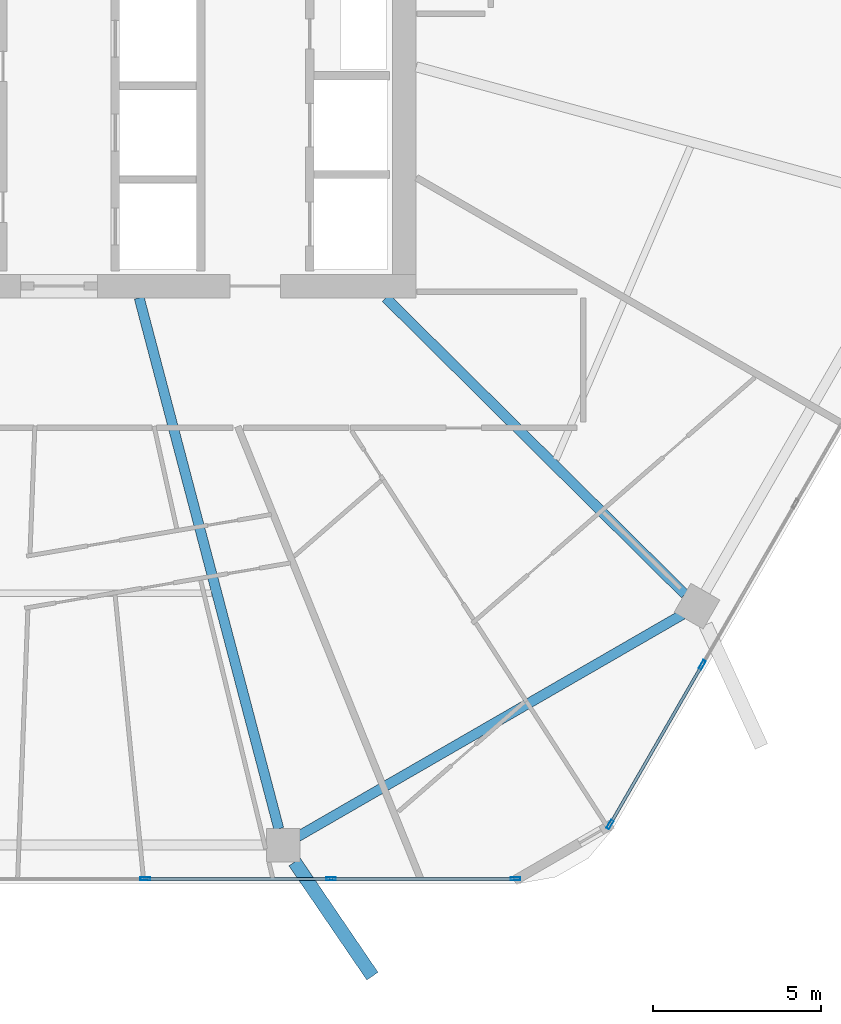
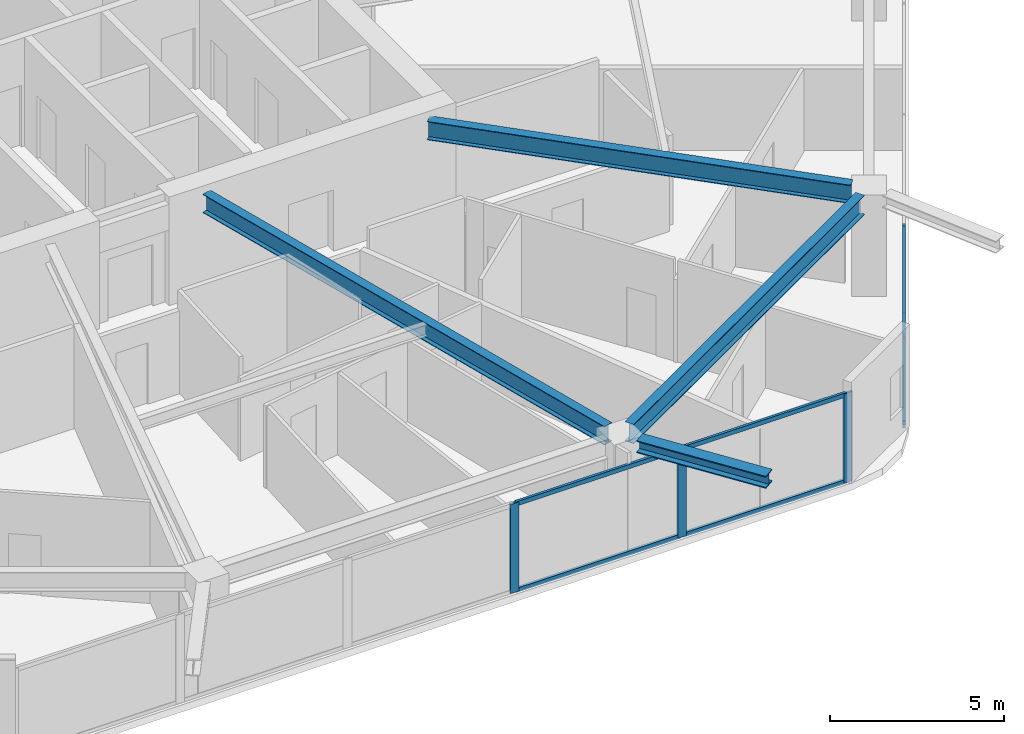
# One storey, part 7 of 26: 11 members, 4 beams, 2 elements without a shape of their own.
"""IFC4 building model written with IfcOpenShell, lengths in metres."""

from ifc_helpers import new_model, si_unit, direction, frame, origin, origin_2d, place, context, subcontext, project, spatial, hollow_rectangle, i_section, extrude, material, material_profile, profile_set, type_object, element, aggregate, save


model = new_model("IFC4")

# Units and contexts
model_context = context("Model", 3, precision=1e-05, world=origin(), true_north=direction((0.0, 1.0)))
body_context = subcontext(model_context, "Body", "Model", "MODEL_VIEW")
ifc_project = project(units=[si_unit("LENGTHUNIT", "METRE"), si_unit("AREAUNIT", "SQUARE_METRE"), si_unit("VOLUMEUNIT", "CUBIC_METRE"), si_unit("PLANEANGLEUNIT", "RADIAN"), si_unit("MASSUNIT", "GRAM", prefix="KILO")], contexts=[model_context])

# Site, building, storey
site_placement = place(None, origin())
site = spatial("IfcSite", under=ifc_project, at=site_placement, CompositionType="ELEMENT")
building_placement = place(site_placement, origin())
building = spatial("IfcBuilding", under=site, at=building_placement, Name="Zuhravey Tower", CompositionType="ELEMENT")
storey_placement = place(building_placement, frame((0.0, 0.0, 158.0)))
storey = spatial("IfcBuildingStorey", under=building, at=storey_placement, Name="L39", CompositionType="ELEMENT", Elevation=158.0)

# Curtain wall, members
ifc_material_1 = material(Name="Thermally broken anodised aluminium", Category="aluminium")
curtain_wall_type = type_object("IfcCurtainWallType", Name="Zone 1-2 Residential Curtain Wall CW3", PredefinedType="NOTDEFINED", material=ifc_material_1)
curtain_wall_1_placement = place(storey_placement, origin())
curtain_wall_1 = element("IfcCurtainWall", 1, at=curtain_wall_1_placement, inside=storey, type_object=curtain_wall_type, Name="L39 CW3 CW-L39-F6-1", PredefinedType="NOTDEFINED")
ifc_material_2 = material(Name="Anodised aluminium", Category="aluminium")
ifc_material_profile_1 = material_profile(ifc_material_2, hollow_rectangle(XDim=0.090087890625, YDim=0.284912109375, WallThickness=0.0048828125, at=origin_2d()), Name="ALU-RHS-90x285x5")
ifc_profile_set_1 = profile_set([ifc_material_profile_1], Name="Anodised aluminium")
member_type_1 = type_object("IfcMemberType", Name="Curtain-Wall Mullion 90x180", PredefinedType="MULLION", material=ifc_profile_set_1)
member_1_placement = place(storey_placement, frame((55.3828125, 11.2060546875, 0.0), z_axis=(0.0, 0.0, 1.0), x_axis=(0.866025138215, -0.500000459979, 0.0)))
member_1 = element("IfcMember", 2, at=member_1_placement, type_object=member_type_1, Name="CW3 mullion 5", PredefinedType="MULLION", context=body_context, shape_type="SweptSolid", body=[
    extrude(hollow_rectangle(XDim=0.090087890625, YDim=0.284912109375, WallThickness=0.0048828125, at=origin_2d()), origin(), (0.0, 0.0, 1.0), 3.1220703125),
])
member_2_placement = place(storey_placement, frame((52.63330078125, 6.443359375, 0.0), z_axis=(0.0, 0.0, 1.0), x_axis=(0.866025138215, -0.500000459979, 0.0)))
member_2 = element("IfcMember", 3, at=member_2_placement, type_object=member_type_1, Name="CW3 mullion 6", PredefinedType="MULLION", context=body_context, shape_type="SweptSolid", body=[
    extrude(hollow_rectangle(XDim=0.090087890625, YDim=0.284912109375, WallThickness=0.0048828125, at=origin_2d()), origin(), (0.0, 0.0, 1.0), 3.1220703125),
])

curtain_wall_2_placement = place(storey_placement, origin())
curtain_wall_2 = element("IfcCurtainWall", 4, at=curtain_wall_2_placement, inside=storey, type_object=curtain_wall_type, Name="L39 CW3 CW-L39-F5-1", PredefinedType="NOTDEFINED")
member_3_placement = place(storey_placement, frame((49.816162109375, 4.81689453125, 0.0), z_axis=(0.0, 0.0, 1.0), x_axis=(0.0, -1.0, 0.0)))
member_3 = element("IfcMember", 5, at=member_3_placement, type_object=member_type_1, Name="CW3 mullion 1", PredefinedType="MULLION", context=body_context, shape_type="SweptSolid", body=[
    extrude(hollow_rectangle(XDim=0.090087890625, YDim=0.284912109375, WallThickness=0.0048828125, at=origin_2d()), origin(), (0.0, 0.0, 1.0), 3.1220703125),
])
member_4_placement = place(storey_placement, frame((44.316650390625, 4.81689453125, 0.0), z_axis=(0.0, 0.0, 1.0), x_axis=(0.0, -1.0, 0.0)))
member_4 = element("IfcMember", 6, at=member_4_placement, type_object=member_type_1, Name="CW3 mullion 2", PredefinedType="MULLION", context=body_context, shape_type="SweptSolid", body=[
    extrude(hollow_rectangle(XDim=0.090087890625, YDim=0.284912109375, WallThickness=0.0048828125, at=origin_2d()), origin(), (0.0, 0.0, 1.0), 3.1220703125),
])
member_5_placement = place(storey_placement, frame((38.772216796875, 4.81689453125, 0.0), z_axis=(0.0, 0.0, 1.0), x_axis=(0.0, -1.0, 0.0)))
member_5 = element("IfcMember", 7, at=member_5_placement, type_object=member_type_1, Name="CW3 mullion 3", PredefinedType="MULLION", context=body_context, shape_type="SweptSolid", body=[
    extrude(hollow_rectangle(XDim=0.090087890625, YDim=0.284912109375, WallThickness=0.0048828125, at=origin_2d()), origin(), (0.0, 0.0, 1.0), 3.1220703125),
])

# Member
ifc_material_profile_2 = material_profile(ifc_material_2, hollow_rectangle(XDim=0.090087890625, YDim=0.14990234375, WallThickness=0.0048828125, at=origin_2d()), Name="ALU-RHS-90x150x5")
ifc_profile_set_2 = profile_set([ifc_material_profile_2], Name="Anodised aluminium")
member_type_2 = type_object("IfcMemberType", Name="Curtain-Wall Transom 90x150", PredefinedType="USERDEFINED", material=ifc_profile_set_2)
member_6_placement = place(storey_placement, frame((55.3603515625, 11.1669921875, 0.044921875), z_axis=(-0.499993332629, -0.866029253159, 0.0), x_axis=(0.866029253159, -0.499993332629, 0.0)))
member_6 = element("IfcMember", 8, at=member_6_placement, type_object=member_type_2, Name="CW3 transom 5.1", ObjectType="TRANSOM", PredefinedType="USERDEFINED", context=body_context, shape_type="SweptSolid", body=[
    extrude(hollow_rectangle(XDim=0.090087890625, YDim=0.14990234375, WallThickness=0.0048828125, at=origin_2d()), origin(), (0.0, 0.0, 1.0), 5.4091796875),
])

member_7_placement = place(storey_placement, frame((55.3603515625, 11.1669921875, 3.076904296875), z_axis=(-0.499993332629, -0.866029253159, 0.0), x_axis=(0.866029253159, -0.499993332629, 0.0)))
member_7 = element("IfcMember", 9, at=member_7_placement, type_object=member_type_2, Name="CW3 transom 5.2", ObjectType="TRANSOM", PredefinedType="USERDEFINED", context=body_context, shape_type="SweptSolid", body=[
    extrude(hollow_rectangle(XDim=0.090087890625, YDim=0.14990234375, WallThickness=0.0048828125, at=origin_2d()), origin(), (0.0, 0.0, 1.0), 5.4091796875),
])

aggregate(curtain_wall_1, [member_1, member_2, member_6, member_7])

member_8_placement = place(storey_placement, frame((49.77099609375, 4.81689453125, 0.044921875), z_axis=(-1.0, 0.0, 0.0), x_axis=(0.0, -1.0, 0.0)))
member_8 = element("IfcMember", 10, at=member_8_placement, type_object=member_type_2, Name="CW3 transom 1.1", ObjectType="TRANSOM", PredefinedType="USERDEFINED", context=body_context, shape_type="SweptSolid", body=[
    extrude(hollow_rectangle(XDim=0.090087890625, YDim=0.14990234375, WallThickness=0.0048828125, at=origin_2d()), origin(), (0.0, 0.0, 1.0), 5.409423828125),
])

member_9_placement = place(storey_placement, frame((49.77099609375, 4.81689453125, 3.076904296875), z_axis=(-1.0, 0.0, 0.0), x_axis=(0.0, -1.0, 0.0)))
member_9 = element("IfcMember", 11, at=member_9_placement, type_object=member_type_2, Name="CW3 transom 1.2", ObjectType="TRANSOM", PredefinedType="USERDEFINED", context=body_context, shape_type="SweptSolid", body=[
    extrude(hollow_rectangle(XDim=0.090087890625, YDim=0.14990234375, WallThickness=0.0048828125, at=origin_2d()), origin(), (0.0, 0.0, 1.0), 5.409423828125),
])

member_10_placement = place(storey_placement, frame((44.271728515625, 4.81689453125, 0.044921875), z_axis=(-1.0, 0.0, 0.0), x_axis=(0.0, -1.0, 0.0)))
member_10 = element("IfcMember", 12, at=member_10_placement, type_object=member_type_2, Name="CW3 transom 2.1", ObjectType="TRANSOM", PredefinedType="USERDEFINED", context=body_context, shape_type="SweptSolid", body=[
    extrude(hollow_rectangle(XDim=0.090087890625, YDim=0.14990234375, WallThickness=0.0048828125, at=origin_2d()), origin(), (0.0, 0.0, 1.0), 5.45458984375),
])

member_11_placement = place(storey_placement, frame((44.271728515625, 4.81689453125, 3.076904296875), z_axis=(-1.0, 0.0, 0.0), x_axis=(0.0, -1.0, 0.0)))
member_11 = element("IfcMember", 13, at=member_11_placement, type_object=member_type_2, Name="CW3 transom 2.2", ObjectType="TRANSOM", PredefinedType="USERDEFINED", context=body_context, shape_type="SweptSolid", body=[
    extrude(hollow_rectangle(XDim=0.090087890625, YDim=0.14990234375, WallThickness=0.0048828125, at=origin_2d()), origin(), (0.0, 0.0, 1.0), 5.45458984375),
])

aggregate(curtain_wall_2, [member_3, member_4, member_5, member_8, member_9, member_10, member_11])

# Beams
ifc_material_3 = material(Name="Steel SM460", Category="steel")
ifc_material_profile_3 = material_profile(ifc_material_3, i_section(OverallWidth=0.406982421875, OverallDepth=0.427978515625, WebThickness=0.02001953125, FlangeThickness=0.034912109375, at=origin_2d()), Name="H-428x407x20x35")
ifc_profile_set_3 = profile_set([ifc_material_profile_3], Name="Steel SM460")
beam_type_1 = type_object("IfcBeamType", Name="Exoskeleton Node Tie Beam H428x407", PredefinedType="BEAM", material=ifc_profile_set_3)
beam_1_placement = place(storey_placement, frame((43.22509765625, 5.323486328125, 3.3359375), z_axis=(0.563406685621, -0.826179705995, 0.0), x_axis=(0.826179705995, 0.563406685621, 0.0)))
element("IfcBeam", 14, at=beam_1_placement, inside=storey, type_object=beam_type_1, Name="L39 Exoskeleton Node Tie NT1-10", PredefinedType="BEAM", context=body_context, shape_type="SweptSolid", body=[
    extrude(i_section(OverallWidth=0.406982421875, OverallDepth=0.427978515625, WebThickness=0.02001953125, FlangeThickness=0.034912109375, at=origin_2d()), origin(), (0.0, 0.0, 1.0), 4.12060546875),
])
ifc_material_4 = material(Name="Steel SM355", Category="steel")
ifc_material_profile_4 = material_profile(ifc_material_4, i_section(OverallWidth=0.300048828125, OverallDepth=0.679931640625, WebThickness=0.012939453125, FlangeThickness=0.02197265625, at=origin_2d()), Name="H-680x300x13x22")
ifc_profile_set_4 = profile_set([ifc_material_profile_4], Name="Steel SM355")
beam_type_2 = type_object("IfcBeamType", Name="Perimeter Ring Beam H680x300", PredefinedType="BEAM", material=ifc_profile_set_4)
beam_2_placement = place(storey_placement, frame((43.317626953125, 6.078369140625, 3.2099609375), z_axis=(0.866022923061, 0.500004296715, 0.0), x_axis=(-0.500004296715, 0.866022923061, 0.0)))
element("IfcBeam", 15, at=beam_2_placement, inside=storey, type_object=beam_type_2, Name="L39 PB2 BM-L39-PB-10", PredefinedType="BEAM", context=body_context, shape_type="SweptSolid", body=[
    extrude(i_section(OverallWidth=0.300048828125, OverallDepth=0.679931640625, WebThickness=0.012939453125, FlangeThickness=0.02197265625, at=origin_2d()), origin(), (0.0, 0.0, 1.0), 13.2470703125),
])
ifc_material_profile_5 = material_profile(ifc_material_4, i_section(OverallWidth=0.300048828125, OverallDepth=0.64990234375, WebThickness=0.012939453125, FlangeThickness=0.02197265625, at=origin_2d()), Name="H-650x300x13x22")
ifc_profile_set_5 = profile_set([ifc_material_profile_5], Name="Steel SM355")
beam_type_3 = type_object("IfcBeamType", Name="Radial Primary Girder H650x300", PredefinedType="BEAM", material=ifc_profile_set_5)
beam_3_placement = place(storey_placement, frame((38.5908203125, 22.14697265625, 3.22509765625), z_axis=(0.254300244998, -0.967125320418, 0.0), x_axis=(0.967125320418, 0.254300244998, 0.0)))
element("IfcBeam", 16, at=beam_3_placement, inside=storey, type_object=beam_type_3, Name="L39 RG2 BM-L39-RAD-10", PredefinedType="BEAM", context=body_context, shape_type="SweptSolid", body=[
    extrude(i_section(OverallWidth=0.300048828125, OverallDepth=0.64990234375, WebThickness=0.012939453125, FlangeThickness=0.02197265625, at=origin_2d()), origin(), (0.0, 0.0, 1.0), 16.371826171875),
])
beam_4_placement = place(storey_placement, frame((45.945556640625, 22.14697265625, 3.22509765625), z_axis=(0.71040353357, -0.703794586148, 0.0), x_axis=(0.703794586148, 0.71040353357, 0.0)))
element("IfcBeam", 17, at=beam_4_placement, inside=storey, type_object=beam_type_3, Name="L39 RG2 BM-L39-RAD-11", PredefinedType="BEAM", context=body_context, shape_type="SweptSolid", body=[
    extrude(i_section(OverallWidth=0.300048828125, OverallDepth=0.64990234375, WebThickness=0.012939453125, FlangeThickness=0.02197265625, at=origin_2d()), origin(), (0.0, 0.0, 1.0), 12.559814453125),
])

save(model, "model.ifc")
